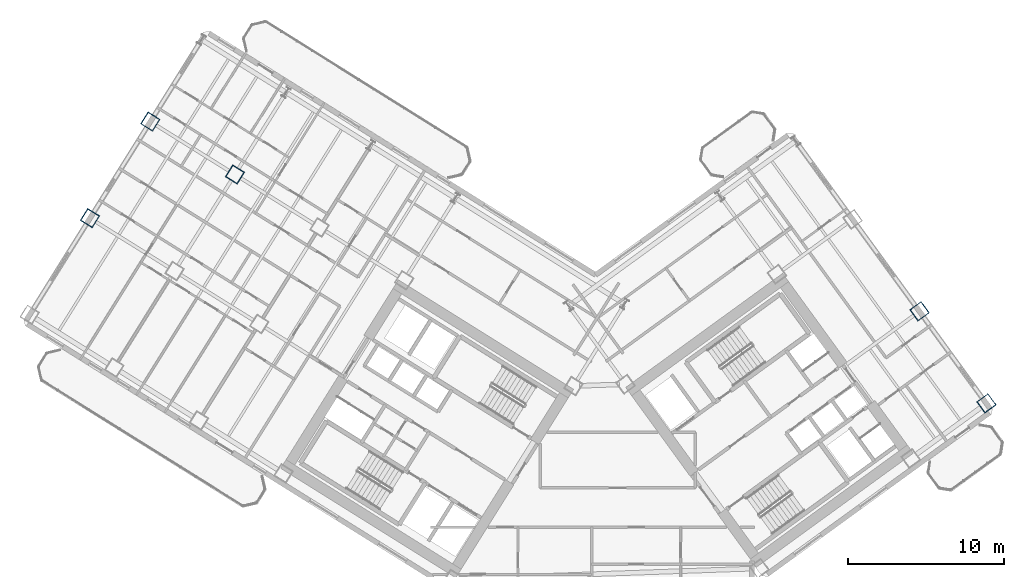
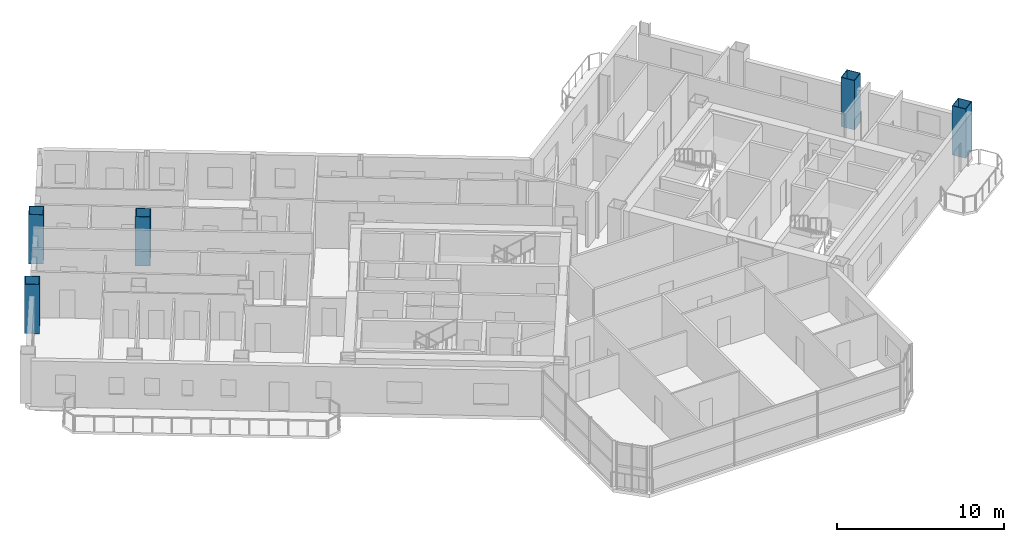
# One storey, part 2 of 21: 5 columns.
"""IFC4 building model written with IfcOpenShell, lengths in metres."""

from ifc_helpers import new_model, si_unit, direction, frame, origin, origin_2d, place, context, subcontext, project, spatial, hollow_rectangle, extrude, source, transform, mapped, material, material_profile, profile_set, type_object, element, save


model = new_model("IFC4")

# Units and contexts
model_context = context("Model", 3, precision=1e-05, world=origin(), true_north=direction((0.0, 1.0)))
body_context = subcontext(model_context, "Body", "Model", "MODEL_VIEW")
ifc_project = project(units=[si_unit("LENGTHUNIT", "METRE"), si_unit("AREAUNIT", "SQUARE_METRE"), si_unit("VOLUMEUNIT", "CUBIC_METRE"), si_unit("PLANEANGLEUNIT", "RADIAN"), si_unit("MASSUNIT", "GRAM", prefix="KILO")], contexts=[model_context])

# Site, building, storey
site_placement = place(None, origin())
site = spatial("IfcSite", under=ifc_project, at=site_placement, CompositionType="ELEMENT")
building_placement = place(site_placement, origin())
building = spatial("IfcBuilding", under=site, at=building_placement, Name="Tlacorven Tower", CompositionType="ELEMENT")
storey_placement = place(building_placement, frame((0.0, 0.0, 93.60009765625)))
storey = spatial("IfcBuildingStorey", under=building, at=storey_placement, Name="L23", CompositionType="ELEMENT", Elevation=93.60009765625)

# Columns
ifc_material = material(Name="Steel S460M", Category="steel")
ifc_material_profile = material_profile(ifc_material, hollow_rectangle(XDim=0.89990234375, YDim=0.89990234375, WallThickness=0.035888671875, at=origin_2d()), Name="BOX 900X900X36")
ifc_profile_set = profile_set([ifc_material_profile], Name="Steel S460M")
column_type = type_object("IfcColumnType", Name="COL-TWR-S2", PredefinedType="COLUMN", material=ifc_profile_set)
shared_shape = source(origin(), body_context, "Body", "SweptSolid", [
    extrude(hollow_rectangle(XDim=0.89990234375, YDim=0.89990234375, WallThickness=0.035888671875, at=origin_2d()), origin(), (0.0, 0.0, 1.0), 3.599853515625),
])
for number, where, z_axis, x_axis, name in (
    (1, (19.072998046875, 38.034423828125, 0.0), (0.0, 0.0, 1.0), (-0.848048096156, 0.529919264233, 0.0), "L23 column COL-L23-W5-2"),
    (2, (13.6455078125, 41.42578125, 0.0), (0.0, 0.0, 1.0), (-0.848048096156, 0.529919264233, 0.0), "L23 column COL-L23-W6-2"),
    (3, (9.777099609375, 35.235107421875, 0.0), (0.0, 0.0, 1.0), (-0.848048096156, 0.529919264233, 0.0), "L23 column COL-L23-W6-3"),
    (4, (67.267822265625, 23.353515625, 0.0), (0.0, 0.0, 1.0), (0.809016994375, 0.587785252292, 0.0), "L23 column COL-L23-E4-1"),
    (5, (62.976806640625, 29.25927734375, 0.0), (0.0, 0.0, 1.0), (0.809016994375, 0.587785252292, 0.0), "L23 column COL-L23-E4-2"),
):
    element("IfcColumn", number, at=place(storey_placement, frame(where, z_axis=z_axis, x_axis=x_axis)), inside=storey, type_object=column_type, Name=name, PredefinedType="COLUMN", context=body_context, shape_type="MappedRepresentation", body=[
        mapped(shared_shape, transform((0.0, 0.0, 0.0), scale=1.0)),
    ])

save(model, "model.ifc")
